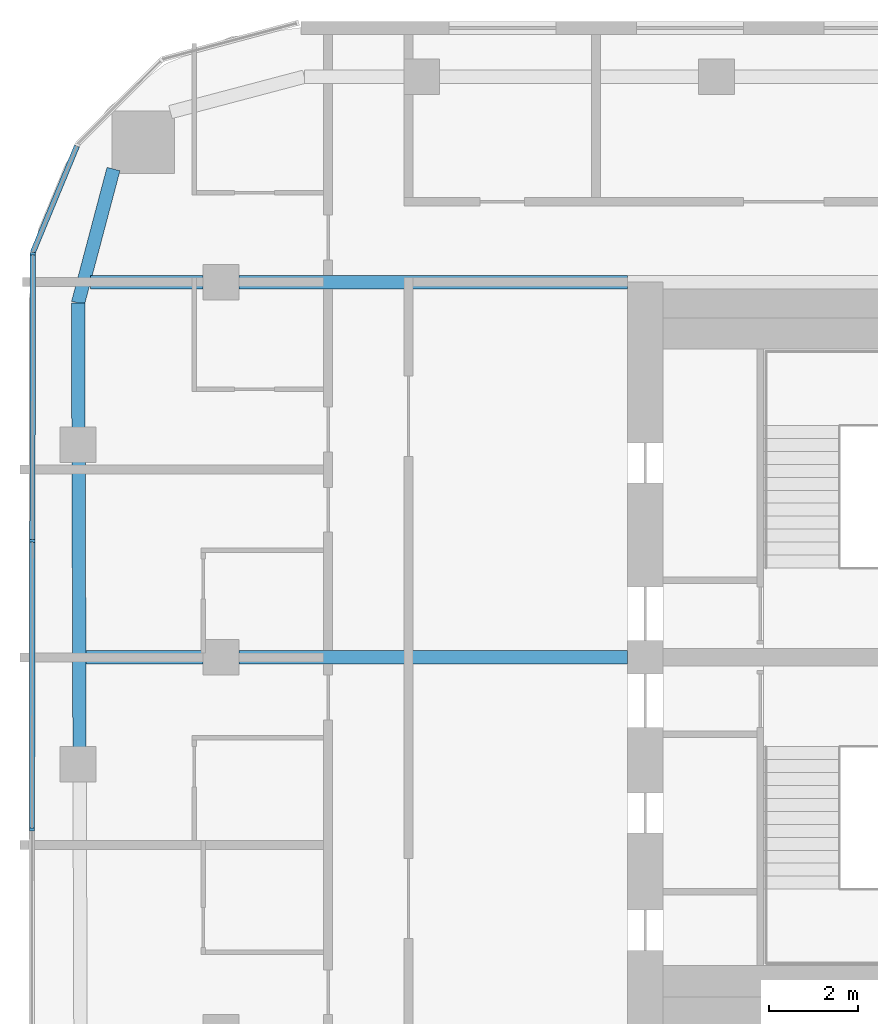
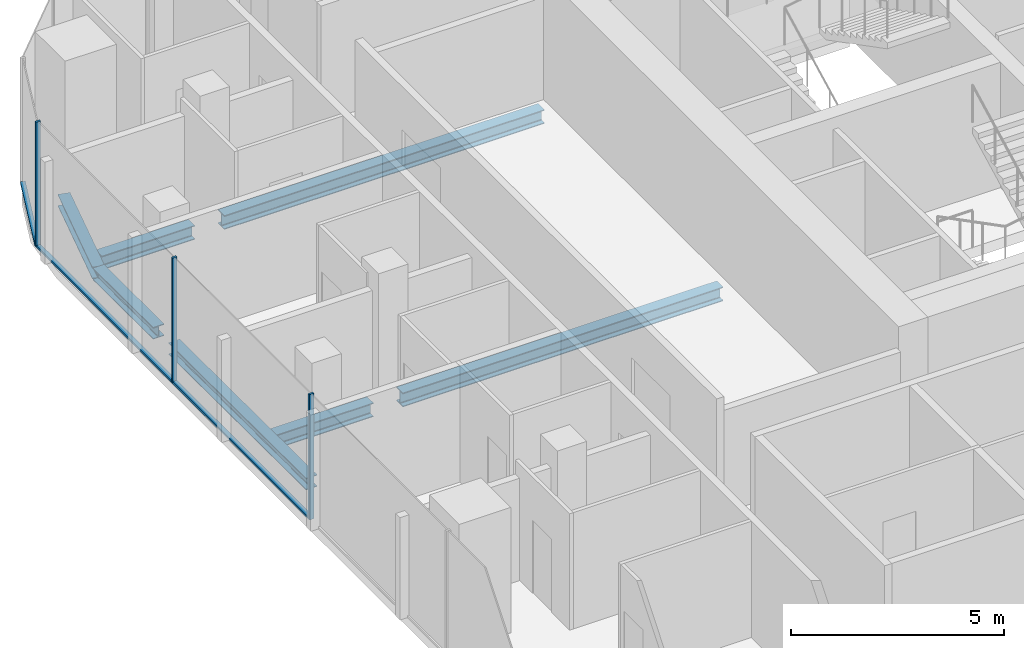
# One storey, part 8 of 22: 7 beams, 6 members, 2 elements without a shape of their own.
"""IFC4 building model written with IfcOpenShell, lengths in metres."""

from ifc_helpers import new_model, si_unit, direction, frame, origin, origin_2d, place, context, subcontext, project, spatial, rectangle, i_section, extrude, material, layer, layer_set, material_profile, profile_set, type_object, element, aggregate, save


model = new_model("IFC4")

# Units and contexts
model_context = context("Model", 3, precision=1e-05, world=origin(), true_north=direction((0.0, 1.0)))
body_context = subcontext(model_context, "Body", "Model", "MODEL_VIEW")
ifc_project = project(units=[si_unit("LENGTHUNIT", "METRE"), si_unit("AREAUNIT", "SQUARE_METRE"), si_unit("VOLUMEUNIT", "CUBIC_METRE"), si_unit("PLANEANGLEUNIT", "RADIAN"), si_unit("MASSUNIT", "GRAM", prefix="KILO")], contexts=[model_context])

# Site, building, storey
site_placement = place(None, origin())
site = spatial("IfcSite", under=ifc_project, at=site_placement, CompositionType="ELEMENT")
building_placement = place(site_placement, origin())
building = spatial("IfcBuilding", under=site, at=building_placement, Name="Marenta Gate Hotel Tower", CompositionType="ELEMENT")
storey_placement = place(building_placement, frame((0.0, 0.0, 238.10009765625)))
storey = spatial("IfcBuildingStorey", under=building, at=storey_placement, Name="L56", CompositionType="ELEMENT", Elevation=238.10009765625)

# Beams
ifc_material_1 = material(Name="Steel S355", Category="steel")
ifc_material_profile_1 = material_profile(ifc_material_1, i_section(OverallWidth=0.300048828125, OverallDepth=0.340087890625, WebThickness=0.011962890625, FlangeThickness=0.021484375, FilletRadius=0.027099609375, at=origin_2d()), Name="HEB 340")
ifc_profile_set_1 = profile_set([ifc_material_profile_1], Name="Steel S355")
beam_type_1 = type_object("IfcBeamType", Name="Edge beam HEB 340", PredefinedType="SPANDREL", material=ifc_profile_set_1)
beam_1_placement = place(storey_placement, frame((-24.166748046875, 6.36328125, -0.43017578125), z_axis=(-0.00333963982, 0.999994423387, 0.0), x_axis=(-0.999994423387, -0.00333963982, 0.0)))
element("IfcBeam", 1, at=beam_1_placement, inside=storey, type_object=beam_type_1, Name="L56-EB-9", PredefinedType="SPANDREL", context=body_context, shape_type="SweptSolid", body=[
    extrude(i_section(OverallWidth=0.300048828125, OverallDepth=0.340087890625, WebThickness=0.011962890625, FlangeThickness=0.021484375, FilletRadius=0.027099609375, at=origin_2d()), origin(), (0.0, 0.0, 1.0), 6.43310546875),
])
beam_2_placement = place(storey_placement, frame((-24.190673828125, 13.516357421875, -0.43017578125), z_axis=(-0.003292020626, 0.999994581285, 0.0), x_axis=(-0.999994581285, -0.003292020626, 0.0)))
element("IfcBeam", 2, at=beam_2_placement, inside=storey, type_object=beam_type_1, Name="L56-EB-10", PredefinedType="SPANDREL", context=body_context, shape_type="SweptSolid", body=[
    extrude(i_section(OverallWidth=0.300048828125, OverallDepth=0.340087890625, WebThickness=0.011962890625, FlangeThickness=0.021484375, FilletRadius=0.027099609375, at=origin_2d()), origin(), (0.0, 0.0, 1.0), 2.818115234375),
])
beam_3_placement = place(storey_placement, frame((-24.199951171875, 16.33447265625, -0.43017578125), z_axis=(0.255648013319, 0.966769927794, 0.0), x_axis=(-0.966769927794, 0.255648013319, 0.0)))
element("IfcBeam", 3, at=beam_3_placement, inside=storey, type_object=beam_type_1, Name="L56-EB-11", PredefinedType="SPANDREL", context=body_context, shape_type="SweptSolid", body=[
    extrude(i_section(OverallWidth=0.300048828125, OverallDepth=0.340087890625, WebThickness=0.011962890625, FlangeThickness=0.021484375, FilletRadius=0.027099609375, at=origin_2d()), origin(), (0.0, 0.0, 1.0), 3.100830078125),
])
ifc_material_2 = material(Name="Steel S355", Category="steel")
ifc_material_profile_2 = material_profile(ifc_material_2, i_section(OverallWidth=0.300048828125, OverallDepth=0.39990234375, WebThickness=0.013427734375, FlangeThickness=0.02392578125, FilletRadius=0.027099609375, at=origin_2d()), Name="HEB 400")
ifc_profile_set_2 = profile_set([ifc_material_profile_2], Name="Steel S355")
beam_type_2 = type_object("IfcBeamType", Name="Girder HEB 400", PredefinedType="BEAM", material=ifc_profile_set_2)
beam_4_placement = place(storey_placement, frame((-24.023681640625, 8.39990234375, -0.460205078125), z_axis=(1.0, 0.0, 0.0), x_axis=(0.0, 1.0, 0.0)))
element("IfcBeam", 4, at=beam_4_placement, inside=storey, type_object=beam_type_2, Name="L56-GD-25", PredefinedType="BEAM", context=body_context, shape_type="SweptSolid", body=[
    extrude(i_section(OverallWidth=0.300048828125, OverallDepth=0.39990234375, WebThickness=0.013427734375, FlangeThickness=0.02392578125, FilletRadius=0.027099609375, at=origin_2d()), origin(), (0.0, 0.0, 1.0), 2.623779296875),
])
beam_5_placement = place(storey_placement, frame((-20.60009765625, 8.39990234375, -0.460205078125), z_axis=(1.0, 0.0, 0.0), x_axis=(0.0, 1.0, 0.0)))
element("IfcBeam", 5, at=beam_5_placement, inside=storey, type_object=beam_type_2, Name="L56-GD-26", PredefinedType="BEAM", context=body_context, shape_type="SweptSolid", body=[
    extrude(i_section(OverallWidth=0.300048828125, OverallDepth=0.39990234375, WebThickness=0.013427734375, FlangeThickness=0.02392578125, FilletRadius=0.027099609375, at=origin_2d()), origin(), (0.0, 0.0, 1.0), 8.7001953125),
])
beam_6_placement = place(storey_placement, frame((-23.921630859375, 16.800048828125, -0.460205078125), z_axis=(1.0, 0.0, 0.0), x_axis=(0.0, 1.0, 0.0)))
element("IfcBeam", 6, at=beam_6_placement, inside=storey, type_object=beam_type_2, Name="L56-GD-29", PredefinedType="BEAM", context=body_context, shape_type="SweptSolid", body=[
    extrude(i_section(OverallWidth=0.300048828125, OverallDepth=0.39990234375, WebThickness=0.013427734375, FlangeThickness=0.02392578125, FilletRadius=0.027099609375, at=origin_2d()), origin(), (0.0, 0.0, 1.0), 2.521728515625),
])
beam_7_placement = place(storey_placement, frame((-20.60009765625, 16.800048828125, -0.460205078125), z_axis=(1.0, 0.0, 0.0), x_axis=(0.0, 1.0, 0.0)))
element("IfcBeam", 7, at=beam_7_placement, inside=storey, type_object=beam_type_2, Name="L56-GD-30", PredefinedType="BEAM", context=body_context, shape_type="SweptSolid", body=[
    extrude(i_section(OverallWidth=0.300048828125, OverallDepth=0.39990234375, WebThickness=0.013427734375, FlangeThickness=0.02392578125, FilletRadius=0.027099609375, at=origin_2d()), origin(), (0.0, 0.0, 1.0), 8.7001953125),
])

# Curtain wall, members
ifc_material_3 = material(Name="Tinted insulated glass in bronze anodised frame", Category="glass")
ifc_layer = layer(ifc_material_3, 0.1201171875)
ifc_layer_set = layer_set([ifc_layer], Name="Tinted insulated glass in bronze anodised frame")
curtain_wall_type = type_object("IfcCurtainWallType", Name="Tower unitised curtain wall CW1", PredefinedType="NOTDEFINED", material=ifc_layer_set)
curtain_wall_1_placement = place(storey_placement, origin())
curtain_wall_1 = element("IfcCurtainWall", 8, at=curtain_wall_1_placement, inside=storey, type_object=curtain_wall_type, Name="CW1 run G03", PredefinedType="NOTDEFINED")
ifc_material_4 = material(Name="Bronze anodised aluminium", Category="aluminium")
ifc_material_profile_3 = material_profile(ifc_material_4, rectangle(XDim=0.1201171875, YDim=0.06005859375, at=origin_2d()), Name="Mullion CW1 60x120 bronze anodised aluminium")
ifc_profile_set_3 = profile_set([ifc_material_profile_3], Name="Bronze anodised aluminium")
member_type_1 = type_object("IfcMemberType", Name="Mullion CW1 60x120 bronze anodised aluminium", PredefinedType="MULLION", material=ifc_profile_set_3)
member_1_placement = place(storey_placement, frame((-25.21240234375, 17.436279296875, 0.0), z_axis=(0.0, 0.0, 1.0), x_axis=(0.99999877375, -0.001566045546, 0.0)))
member_1 = element("IfcMember", 9, at=member_1_placement, type_object=member_type_1, Name="CW1 mullion 1", PredefinedType="MULLION", context=body_context, shape_type="SweptSolid", body=[
    extrude(rectangle(XDim=0.1201171875, YDim=0.06005859375, at=origin_2d()), origin(), (0.0, 0.0, 1.0), 3.599853515625),
])
member_2_placement = place(storey_placement, frame((-25.222412109375, 11.006103515625, 0.0), z_axis=(0.0, 0.0, 1.0), x_axis=(0.99999877375, -0.001566045546, 0.0)))
member_2 = element("IfcMember", 10, at=member_2_placement, type_object=member_type_1, Name="CW1 mullion 2", PredefinedType="MULLION", context=body_context, shape_type="SweptSolid", body=[
    extrude(rectangle(XDim=0.1201171875, YDim=0.06005859375, at=origin_2d()), origin(), (0.0, 0.0, 1.0), 3.599853515625),
])
member_3_placement = place(storey_placement, frame((-25.232421875, 4.546142578125, 0.0), z_axis=(0.0, 0.0, 1.0), x_axis=(0.99999877375, -0.001566045546, 0.0)))
member_3 = element("IfcMember", 11, at=member_3_placement, type_object=member_type_1, Name="CW1 mullion 3", PredefinedType="MULLION", context=body_context, shape_type="SweptSolid", body=[
    extrude(rectangle(XDim=0.1201171875, YDim=0.06005859375, at=origin_2d()), origin(), (0.0, 0.0, 1.0), 3.599853515625),
])

# Curtain wall, member
curtain_wall_2_placement = place(storey_placement, origin())
curtain_wall_2 = element("IfcCurtainWall", 12, at=curtain_wall_2_placement, inside=storey, type_object=curtain_wall_type, Name="CW1 run G02", PredefinedType="NOTDEFINED")
ifc_material_5 = material(Name="Bronze anodised aluminium", Category="aluminium")
ifc_material_profile_4 = material_profile(ifc_material_5, rectangle(XDim=0.1201171875, YDim=0.06005859375, at=origin_2d()), Name="Transom CW1 60x120 bronze anodised aluminium")
ifc_profile_set_4 = profile_set([ifc_material_profile_4], Name="Bronze anodised aluminium")
member_type_2 = type_object("IfcMemberType", Name="Transom CW1 60x120 bronze anodised aluminium", PredefinedType="USERDEFINED", material=ifc_profile_set_4)
member_4_placement = place(storey_placement, frame((-24.2265625, 19.845947265625, 0.02978515625), z_axis=(-0.382736860682, -0.923857399968, 0.0), x_axis=(0.923857399968, -0.382736860682, 0.0)))
member_4 = element("IfcMember", 13, at=member_4_placement, type_object=member_type_2, Name="CW1 transom 1.1", ObjectType="TRANSOM", PredefinedType="USERDEFINED", context=body_context, shape_type="SweptSolid", body=[
    extrude(rectangle(XDim=0.1201171875, YDim=0.06005859375, at=origin_2d()), origin(), (0.0, 0.0, 1.0), 2.57568359375),
])
aggregate(curtain_wall_2, [member_4])

# Member
member_5_placement = place(storey_placement, frame((-25.21240234375, 17.40625, 0.02978515625), z_axis=(-0.00157136093, -0.999998765412, 0.0), x_axis=(0.999998765412, -0.00157136093, 0.0)))
member_5 = element("IfcMember", 14, at=member_5_placement, type_object=member_type_2, Name="CW1 transom 1.1", ObjectType="TRANSOM", PredefinedType="USERDEFINED", context=body_context, shape_type="SweptSolid", body=[
    extrude(rectangle(XDim=0.1201171875, YDim=0.06005859375, at=origin_2d()), origin(), (0.0, 0.0, 1.0), 6.3701171875),
])

member_6_placement = place(storey_placement, frame((-25.222412109375, 10.976318359375, 0.02978515625), z_axis=(-0.001563988169, -0.99999877697, 0.0), x_axis=(0.99999877697, -0.001563988169, 0.0)))
member_6 = element("IfcMember", 15, at=member_6_placement, type_object=member_type_2, Name="CW1 transom 2.1", ObjectType="TRANSOM", PredefinedType="USERDEFINED", context=body_context, shape_type="SweptSolid", body=[
    extrude(rectangle(XDim=0.1201171875, YDim=0.06005859375, at=origin_2d()), origin(), (0.0, 0.0, 1.0), 6.400146484375),
])

aggregate(curtain_wall_1, [member_1, member_2, member_3, member_5, member_6])

save(model, "model.ifc")
